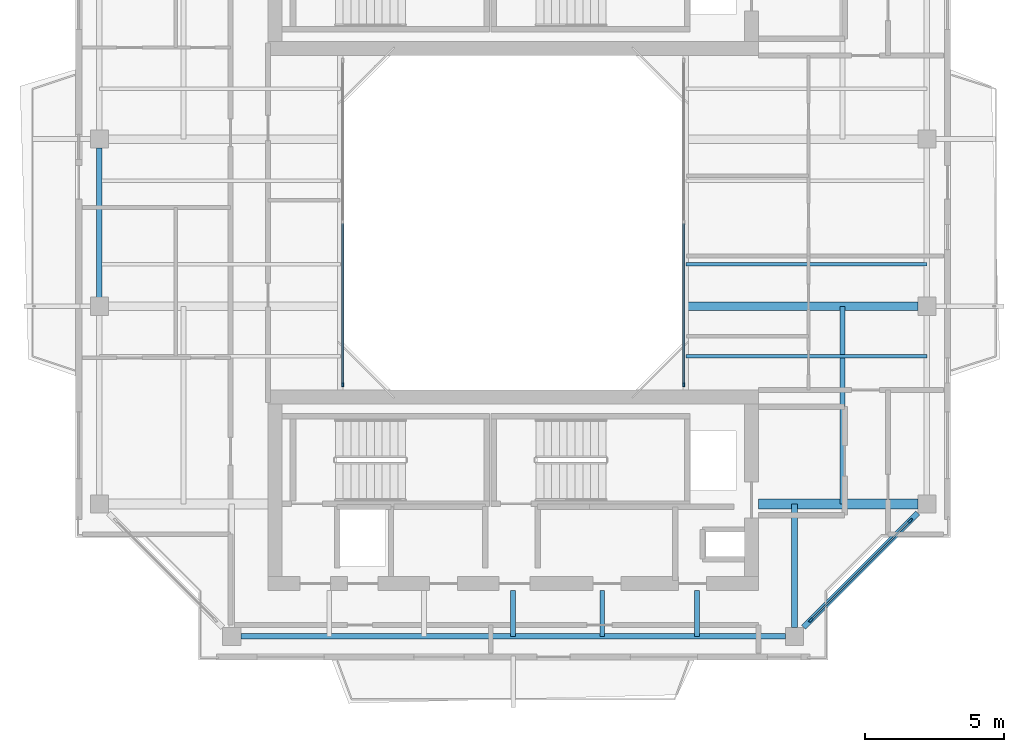
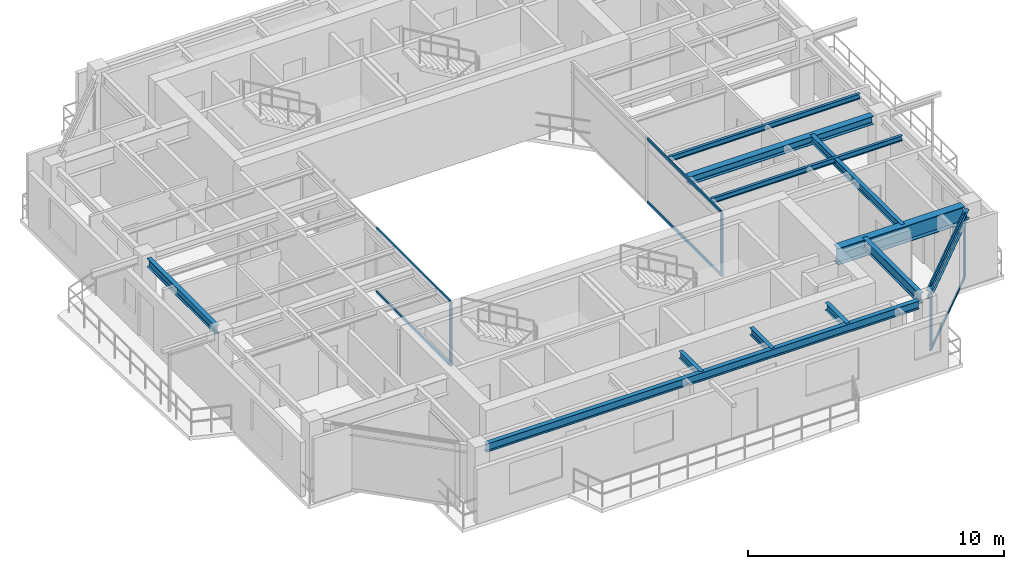
# One storey, part 4 of 14: 12 beams, 10 members, 3 elements without a shape of their own.
"""IFC4 building model written with IfcOpenShell, lengths in metres."""

import ifcopenshell
import ifcopenshell.guid

model = None  # the IFC model being written
_history = None  # IfcOwnerHistory: only IFC2X3 demands one
_inside = {}  # id of a spatial element -> (the spatial element, [elements in it])
_under = {}  # id of a project, library or spatial element -> (it, [spatial elements below it])
_declared = {}  # id of a project -> (the project, [libraries it declares])
_typed = {}  # id of a type object -> (the type object, [elements of that type])
_made_of = {}  # id of a material, layer set ... -> (it, [elements and type objects made of it])


def new_model(schema):
    """Start an empty IFC model of exactly this schema.

    Asked for "IFC4X3", IfcOpenShell would pick the latest addendum, in which some entities
    have other attributes; the version numbers below select the first issue.
    IFC2X3 requires an IfcOwnerHistory on every rooted entity: one is made here for all.
    """
    global model, _history
    if schema == "IFC4X3":
        model = ifcopenshell.file(schema_version=(4, 3, 0, 0))
    else:
        model = ifcopenshell.file(schema=schema)
    _inside.clear()
    _under.clear()
    _declared.clear()
    _typed.clear()
    _made_of.clear()
    _history = None
    if model.schema == "IFC2X3":
        org = make("IfcOrganization", Name="unknown")
        user = make(
            "IfcPersonAndOrganization",
            ThePerson=make("IfcPerson", FamilyName="unknown"),
            TheOrganization=org,
        )
        app = make(
            "IfcApplication",
            ApplicationDeveloper=org,
            Version="unknown",
            ApplicationFullName="unknown",
            ApplicationIdentifier="unknown",
        )
        _history = make(
            "IfcOwnerHistory",
            OwningUser=user,
            OwningApplication=app,
            ChangeAction="ADDED",
            CreationDate=0,
        )
    return model


def make(cls, **values):
    """One entity of the class cls with the attributes given. An attribute that is None is left unset."""
    return model.create_entity(
        cls, **{name: value for name, value in values.items() if value is not None}
    )


def rooted(cls, **values):
    """An entity with a GlobalId (a new one), such as an element, a storey or a relation."""
    return make(cls, GlobalId=ifcopenshell.guid.new(), OwnerHistory=_history, **values)


def si_unit(unit_type, name, prefix=None):
    """IfcSIUnit, for example si_unit("LENGTHUNIT", "METRE", prefix="MILLI")."""
    return make("IfcSIUnit", UnitType=unit_type, Prefix=prefix, Name=name)


def assignment(units):
    """IfcUnitAssignment: the units of a project."""
    return None if units is None else make("IfcUnitAssignment", Units=units)


def point(xyz):
    """IfcCartesianPoint."""
    return None if xyz is None else make("IfcCartesianPoint", Coordinates=xyz)


def direction(xyz):
    """IfcDirection."""
    return None if xyz is None else make("IfcDirection", DirectionRatios=xyz)


def frame(location, z_axis=None, x_axis=None):
    """IfcAxis2Placement3D, a coordinate frame: its origin and axes. An axis left out is left unset."""
    return make(
        "IfcAxis2Placement3D",
        Location=point(location),
        Axis=direction(z_axis),
        RefDirection=direction(x_axis),
    )


def frame_2d(location, x_axis=None):
    """IfcAxis2Placement2D, a coordinate frame in the plane: its origin and x axis."""
    return make(
        "IfcAxis2Placement2D", Location=point(location), RefDirection=direction(x_axis)
    )


def origin():
    """The frame at (0, 0, 0) with its axes left unset."""
    return frame((0.0, 0.0, 0.0))


def origin_2d():
    """The frame at (0, 0) in the plane with its x axis left unset."""
    return frame_2d((0.0, 0.0))


def place(relative_to, where):
    """IfcLocalPlacement: puts the frame where relative to a parent placement (None: the world)."""
    return make(
        "IfcLocalPlacement", PlacementRelTo=relative_to, RelativePlacement=where
    )


def context(
    kind, dimensions, precision=None, world=None, true_north=None, identifier=None
):
    """IfcGeometricRepresentationContext, for example the 3D "Model" context."""
    return make(
        "IfcGeometricRepresentationContext",
        ContextIdentifier=identifier,
        ContextType=kind,
        CoordinateSpaceDimension=dimensions,
        Precision=precision,
        WorldCoordinateSystem=world,
        TrueNorth=true_north,
    )


def subcontext(parent, identifier, kind, view, scale=None):
    """IfcGeometricRepresentationSubContext, for example "Body" below "Model"."""
    return make(
        "IfcGeometricRepresentationSubContext",
        ContextIdentifier=identifier,
        ContextType=kind,
        ParentContext=parent,
        TargetScale=scale,
        TargetView=view,
    )


def project(units=None, contexts=None):
    """IfcProject with its units and contexts."""
    return rooted(
        "IfcProject",
        Name="project",
        RepresentationContexts=contexts,
        UnitsInContext=assignment(units),
    )


def spatial(cls, under=None, at=None, **own):
    """A site, building, storey or space (cls), placed at a placement, below another one or the project."""
    s = rooted(cls, ObjectPlacement=at, **own)
    if under is not None:
        _under.setdefault(under.id(), (under, []))[1].append(s)
    return s


def profile(cls, at=None, kind="AREA", **sizes):
    """A parametric profile (cls). Its sizes go by their IFC names, for example OverallWidth=200.0."""
    return make(cls, ProfileType=kind, Position=at, **sizes)


def rectangle(**sizes):
    """IfcRectangleProfileDef."""
    return profile("IfcRectangleProfileDef", **sizes)


def i_section(**sizes):
    """IfcIShapeProfileDef."""
    return profile("IfcIShapeProfileDef", **sizes)


def extrude(swept, where, along, depth):
    """IfcExtrudedAreaSolid: the profile swept, set in the frame where, extruded along a direction by depth."""
    return make(
        "IfcExtrudedAreaSolid",
        SweptArea=swept,
        Position=where,
        ExtrudedDirection=direction(along),
        Depth=depth,
    )


def shape(context_of_items, identifier, shape_type, items):
    """IfcShapeRepresentation: the items that make up one representation, for example the "Body"."""
    return make(
        "IfcShapeRepresentation",
        ContextOfItems=context_of_items,
        RepresentationIdentifier=identifier,
        RepresentationType=shape_type,
        Items=items,
    )


def source(mapping_origin, context_of_items, identifier, shape_type, items):
    """IfcRepresentationMap: a shape defined once, which mapped items show again and again."""
    return make(
        "IfcRepresentationMap",
        MappingOrigin=mapping_origin,
        MappedRepresentation=shape(context_of_items, identifier, shape_type, items),
    )


def transform(
    local_origin,
    x_axis=None,
    y_axis=None,
    z_axis=None,
    scale=None,
    scale2=None,
    scale3=None,
    uniform=True,
):
    """IfcCartesianTransformationOperator3D, or its non-uniform kind. x_axis, y_axis, z_axis: its Axis1, 2, 3."""
    if uniform:
        return make(
            "IfcCartesianTransformationOperator3D",
            Axis1=direction(x_axis),
            Axis2=direction(y_axis),
            LocalOrigin=point(local_origin),
            Scale=scale,
            Axis3=direction(z_axis),
        )
    return make(
        "IfcCartesianTransformationOperator3DnonUniform",
        Axis1=direction(x_axis),
        Axis2=direction(y_axis),
        LocalOrigin=point(local_origin),
        Scale=scale,
        Axis3=direction(z_axis),
        Scale2=scale2,
        Scale3=scale3,
    )


def mapped(mapping_source, mapping_target):
    """IfcMappedItem: shows the shape of a source again, moved by a transform."""
    return make(
        "IfcMappedItem", MappingSource=mapping_source, MappingTarget=mapping_target
    )


def material(Name=None, Category=None):
    """IfcMaterial."""
    return make("IfcMaterial", Name=Name, Category=Category)


def layer(
    of_material, thickness, ventilated=None, Name=None, Category=None, Priority=None
):
    """IfcMaterialLayer: one layer of a wall or slab, of a material (None: an air gap)."""
    return make(
        "IfcMaterialLayer",
        Material=of_material,
        LayerThickness=thickness,
        IsVentilated=ventilated,
        Name=Name,
        Category=Category,
        Priority=Priority,
    )


def layer_set(layers, Name=None):
    """IfcMaterialLayerSet."""
    return make("IfcMaterialLayerSet", MaterialLayers=layers, LayerSetName=Name)


def material_profile(
    of_material, cross_section, Name=None, Category=None, Priority=None
):
    """IfcMaterialProfile: a cross section and its material."""
    return make(
        "IfcMaterialProfile",
        Name=Name,
        Material=of_material,
        Profile=cross_section,
        Priority=Priority,
        Category=Category,
    )


def profile_set(profiles, Name=None, composite=None):
    """IfcMaterialProfileSet."""
    return make(
        "IfcMaterialProfileSet",
        Name=Name,
        MaterialProfiles=profiles,
        CompositeProfile=composite,
    )


def made_of(thing, what):
    """Note that an element or type object is made of a material, layer set ...; save() writes the relation."""
    if what is not None:
        _made_of.setdefault(what.id(), (what, []))[1].append(thing)
    return thing


def type_object(cls, material=None, **own):
    """A type object (cls), such as IfcWallType, which elements share."""
    return made_of(rooted(cls, **own), material)


def element(
    cls,
    number,
    at=None,
    inside=None,
    cuts=None,
    type_object=None,
    material=None,
    context=None,
    identifier="Body",
    shape_type=None,
    held_by="IfcProductDefinitionShape",
    body=None,
    shapes=None,
    **own,
):
    """One element of the class cls, such as IfcWall. Its Tag is "e" and its number.

    at: its placement. inside: the storey or other place that contains it. cuts: it is an
    opening in that element (IfcRelVoidsElement). A single representation is given by context,
    identifier, shape_type and body (its items); several are given by shapes. held_by: the class
    of the entity that holds the representations. save() writes the other relations.
    """
    e = rooted(cls, Tag="e%d" % number, ObjectPlacement=at, **own)
    if body is not None:
        shapes = [shape(context, identifier, shape_type, body)]
    if shapes is not None:
        e.Representation = make(held_by, Representations=shapes)
    if inside is not None:
        _inside.setdefault(inside.id(), (inside, []))[1].append(e)
    if cuts is not None:
        rooted(
            "IfcRelVoidsElement", RelatingBuildingElement=cuts, RelatedOpeningElement=e
        )
    if type_object is not None:
        _typed.setdefault(type_object.id(), (type_object, []))[1].append(e)
    return made_of(e, material)


def aggregate(whole, parts):
    """IfcRelAggregates: a whole, such as a stair, and the parts it consists of."""
    return rooted("IfcRelAggregates", RelatingObject=whole, RelatedObjects=parts)


def save(model, path):
    """Write the relations noted so far, then the file.

    IfcRelAggregates (storeys below a building ...), IfcRelContainedInSpatialStructure (elements
    in a storey), IfcRelDefinesByType, IfcRelAssociatesMaterial and IfcRelDeclares: one each for
    every whole, place, type object, material and project.
    """
    for whole, parts in _under.values():
        aggregate(whole, parts)
    for where, things in _inside.values():
        rooted(
            "IfcRelContainedInSpatialStructure",
            RelatedElements=things,
            RelatingStructure=where,
        )
    for kind, things in _typed.values():
        rooted("IfcRelDefinesByType", RelatedObjects=things, RelatingType=kind)
    for what, things in _made_of.values():
        rooted("IfcRelAssociatesMaterial", RelatedObjects=things, RelatingMaterial=what)
    for by, libraries in _declared.values():
        rooted("IfcRelDeclares", RelatingContext=by, RelatedDefinitions=libraries)
    model.write(path)


model = new_model("IFC4")

# Units and contexts
model_context = context("Model", 3, precision=1e-05, world=origin(), true_north=direction((0.0, 1.0)))
body_context = subcontext(model_context, "Body", "Model", "MODEL_VIEW")
ifc_project = project(units=[si_unit("LENGTHUNIT", "METRE"), si_unit("AREAUNIT", "SQUARE_METRE"), si_unit("VOLUMEUNIT", "CUBIC_METRE"), si_unit("PLANEANGLEUNIT", "RADIAN"), si_unit("MASSUNIT", "GRAM", prefix="KILO"), si_unit("THERMODYNAMICTEMPERATUREUNIT", "KELVIN"), si_unit("POWERUNIT", "WATT")], contexts=[model_context])

# Site, building, storey
site_placement = place(None, origin())
site = spatial("IfcSite", under=ifc_project, at=site_placement, CompositionType="ELEMENT")
building_placement = place(site_placement, origin())
building = spatial("IfcBuilding", under=site, at=building_placement, Name="Qiaomeng Ring Towers", CompositionType="ELEMENT")
storey_placement = place(building_placement, frame((0.0, 0.0, 247.0)))
storey = spatial("IfcBuildingStorey", under=building, at=storey_placement, Name="L72", CompositionType="ELEMENT", Elevation=247.0)

# Beams
ifc_material_1 = material(Name="Steel Q355B", Category="steel")
ifc_material_profile_1 = material_profile(ifc_material_1, i_section(OverallWidth=0.198974609375, OverallDepth=0.39599609375, WebThickness=0.007080078125, FlangeThickness=0.010986328125, FilletRadius=0.01611328125, at=origin_2d()), Name="HN 396x199x7x11")
ifc_profile_set_1 = profile_set([ifc_material_profile_1], Name="Steel Q355B")
beam_type_1 = type_object("IfcBeamType", Name="STR-BM-HN396", PredefinedType="SPANDREL", material=ifc_profile_set_1)
shared_shape_1 = source(origin(), body_context, "Body", "SweptSolid", [
    extrude(i_section(OverallWidth=0.198974609375, OverallDepth=0.39599609375, WebThickness=0.007080078125, FlangeThickness=0.010986328125, FilletRadius=0.01611328125, at=origin_2d()), origin(), (0.0, 0.0, 1.0), 19.5517578125),
])
beam_1_placement = place(storey_placement, frame((9.22412109375, 8.14990234375, 2.8720703125), z_axis=(1.0, 0.0, 0.0), x_axis=(0.0, 1.0, 0.0)))
element("IfcBeam", 1, at=beam_1_placement, inside=storey, type_object=beam_type_1, Name="L72 beam STR-SP-L72-T1-S1-S2", PredefinedType="SPANDREL", context=body_context, shape_type="MappedRepresentation", body=[
    mapped(shared_shape_1, transform((0.0, 0.0, 0.0), x_axis=(1.0, 0.0, 0.0), y_axis=(0.0, 1.0, 0.0), z_axis=(0.0, 0.0, 1.0), scale=1.0)),
])
shared_shape_2 = source(origin(), body_context, "Body", "SweptSolid", [
    extrude(i_section(OverallWidth=0.198974609375, OverallDepth=0.39599609375, WebThickness=0.007080078125, FlangeThickness=0.010986328125, FilletRadius=0.01611328125, at=origin_2d()), origin(), (0.0, 0.0, 1.0), 5.800048828125),
])
beam_2_placement = place(storey_placement, frame((29.42431640625, 8.474365234375, 2.8720703125), z_axis=(0.707106781187, 0.707106781187, 0.0), x_axis=(-0.707106781187, 0.707106781187, 0.0)))
element("IfcBeam", 2, at=beam_2_placement, inside=storey, type_object=beam_type_1, Name="L72 beam STR-SP-L72-T1-S2-E1", PredefinedType="SPANDREL", context=body_context, shape_type="MappedRepresentation", body=[
    mapped(shared_shape_2, transform((0.0, 0.0, 0.0), x_axis=(1.0, 0.0, 0.0), y_axis=(0.0, 1.0, 0.0), z_axis=(0.0, 0.0, 1.0), scale=1.0)),
])
shared_shape_3 = source(origin(), body_context, "Body", "SweptSolid", [
    extrude(i_section(OverallWidth=0.198974609375, OverallDepth=0.39599609375, WebThickness=0.007080078125, FlangeThickness=0.010986328125, FilletRadius=0.01611328125, at=origin_2d()), origin(), (0.0, 0.0, 1.0), 5.35205078125),
])
beam_3_placement = place(storey_placement, frame((4.14990234375, 25.676025390625, 2.8720703125), z_axis=(0.0, -1.0, 0.0), x_axis=(1.0, 0.0, 0.0)))
element("IfcBeam", 3, at=beam_3_placement, inside=storey, type_object=beam_type_1, Name="L72 beam STR-SP-L72-T1-W3-W2", PredefinedType="SPANDREL", context=body_context, shape_type="MappedRepresentation", body=[
    mapped(shared_shape_3, transform((0.0, 0.0, 0.0), x_axis=(1.0, 0.0, 0.0), y_axis=(0.0, 1.0, 0.0), z_axis=(0.0, 0.0, 1.0), scale=1.0)),
])
ifc_material_2 = material(Name="Steel Q390GJC", Category="steel")
ifc_material_profile_2 = material_profile(ifc_material_2, i_section(OverallWidth=0.35009765625, OverallDepth=0.800048828125, WebThickness=0.01611328125, FlangeThickness=0.028076171875, at=origin_2d()), Name="WH 800x350x16x28")
ifc_profile_set_2 = profile_set([ifc_material_profile_2], Name="Steel Q390GJC")
beam_type_2 = type_object("IfcBeamType", Name="STR-BM-WH800", PredefinedType="BEAM", material=ifc_profile_set_2)
shared_shape_4 = source(origin(), body_context, "Body", "SweptSolid", [
    extrude(i_section(OverallWidth=0.35009765625, OverallDepth=0.800048828125, WebThickness=0.01611328125, FlangeThickness=0.028076171875, at=origin_2d()), origin(), (0.0, 0.0, 1.0), 5.725830078125),
])
beam_4_placement = place(storey_placement, frame((27.800048828125, 12.89990234375, 2.669921875), z_axis=(1.0, 0.0, 0.0), x_axis=(0.0, 1.0, 0.0)))
element("IfcBeam", 4, at=beam_4_placement, inside=storey, type_object=beam_type_2, Name="L72 beam STR-BM-L72-T1-RAD-E1", PredefinedType="BEAM", context=body_context, shape_type="MappedRepresentation", body=[
    mapped(shared_shape_4, transform((0.0, 0.0, 0.0), x_axis=(1.0, 0.0, 0.0), y_axis=(0.0, 1.0, 0.0), z_axis=(0.0, 0.0, 1.0), scale=1.0)),
])
ifc_material_profile_3 = material_profile(ifc_material_1, i_section(OverallWidth=0.198974609375, OverallDepth=0.49609375, WebThickness=0.009033203125, FlangeThickness=0.013916015625, FilletRadius=0.01806640625, at=origin_2d()), Name="HN 496x199x9x14")
ifc_profile_set_3 = profile_set([ifc_material_profile_3], Name="Steel Q355B")
beam_type_3 = type_object("IfcBeamType", Name="STR-BM-HN496", PredefinedType="BEAM", material=ifc_profile_set_3)
shared_shape_5 = source(origin(), body_context, "Body", "SweptSolid", [
    extrude(i_section(OverallWidth=0.198974609375, OverallDepth=0.49609375, WebThickness=0.009033203125, FlangeThickness=0.013916015625, FilletRadius=0.01806640625, at=origin_2d()), origin(), (0.0, 0.0, 1.0), 4.42578125),
])
beam_5_placement = place(storey_placement, frame((29.10009765625, 8.47412109375, 2.822021484375), z_axis=(0.0, 1.0, 0.0), x_axis=(-1.0, 0.0, 0.0)))
element("IfcBeam", 5, at=beam_5_placement, inside=storey, type_object=beam_type_3, Name="L72 beam STR-BM-L72-T1-RAD-S2", PredefinedType="BEAM", context=body_context, shape_type="MappedRepresentation", body=[
    mapped(shared_shape_5, transform((0.0, 0.0, 0.0), x_axis=(1.0, 0.0, 0.0), y_axis=(0.0, 1.0, 0.0), z_axis=(0.0, 0.0, 1.0), scale=1.0)),
])
ifc_material_profile_4 = material_profile(ifc_material_1, i_section(OverallWidth=0.300048828125, OverallDepth=0.389892578125, WebThickness=0.010009765625, FlangeThickness=0.01611328125, FilletRadius=0.02197265625, at=origin_2d()), Name="HM 390x300x10x16")
ifc_profile_set_4 = profile_set([ifc_material_profile_4], Name="Steel Q355B")
beam_type_4 = type_object("IfcBeamType", Name="STR-BM-HM390", PredefinedType="BEAM", material=ifc_profile_set_4)
shared_shape_6 = source(origin(), body_context, "Body", "SweptSolid", [
    extrude(i_section(OverallWidth=0.300048828125, OverallDepth=0.389892578125, WebThickness=0.010009765625, FlangeThickness=0.01611328125, FilletRadius=0.02197265625, at=origin_2d()), origin(), (0.0, 0.0, 1.0), 8.325927734375),
])
beam_6_placement = place(storey_placement, frame((25.199951171875, 20.0, 2.875), z_axis=(1.0, 0.0, 0.0), x_axis=(0.0, 1.0, 0.0)))
element("IfcBeam", 6, at=beam_6_placement, inside=storey, type_object=beam_type_4, Name="L72 beam STR-BM-L72-T1-RAD-E2", PredefinedType="BEAM", context=body_context, shape_type="MappedRepresentation", body=[
    mapped(shared_shape_6, transform((0.0, 0.0, 0.0), x_axis=(1.0, 0.0, 0.0), y_axis=(0.0, 1.0, 0.0), z_axis=(0.0, 0.0, 1.0), scale=1.0)),
])
ifc_material_profile_5 = material_profile(ifc_material_1, i_section(OverallWidth=0.175048828125, OverallDepth=0.35009765625, WebThickness=0.007080078125, FlangeThickness=0.010986328125, FilletRadius=0.013916015625, at=origin_2d()), Name="HN 350x175x7x11")
ifc_profile_set_5 = profile_set([ifc_material_profile_5], Name="Steel Q355B")
beam_type_5 = type_object("IfcBeamType", Name="STR-BM-HN350", PredefinedType="JOIST", material=ifc_profile_set_5)
shared_shape_7 = source(origin(), body_context, "Body", "SweptSolid", [
    extrude(i_section(OverallWidth=0.175048828125, OverallDepth=0.35009765625, WebThickness=0.007080078125, FlangeThickness=0.010986328125, FilletRadius=0.013916015625, at=origin_2d()), origin(), (0.0, 0.0, 1.0), 1.650146484375),
])
for number, where, z_axis, x_axis, name in (
    (7, (19.0, 8.14990234375, 2.89501953125), (0.0, 1.0, 0.0), (-1.0, 0.0, 0.0), "L72 beam STR-JST-L72-T1S-3"),
    (8, (22.199951171875, 8.14990234375, 2.89501953125), (0.0, 1.0, 0.0), (-1.0, 0.0, 0.0), "L72 beam STR-JST-L72-T1S-4"),
    (9, (25.60009765625, 8.14990234375, 2.89501953125), (0.0, 1.0, 0.0), (-1.0, 0.0, 0.0), "L72 beam STR-JST-L72-T1S-5"),
):
    element("IfcBeam", number, at=place(storey_placement, frame(where, z_axis=z_axis, x_axis=x_axis)), inside=storey, type_object=beam_type_5, Name=name, PredefinedType="JOIST", context=body_context, shape_type="MappedRepresentation", body=[
        mapped(shared_shape_7, transform((0.0, 0.0, 0.0), x_axis=(1.0, 0.0, 0.0), y_axis=(0.0, 1.0, 0.0), z_axis=(0.0, 0.0, 1.0), scale=1.0)),
    ])
ifc_material_profile_6 = material_profile(ifc_material_1, i_section(OverallWidth=0.125, OverallDepth=0.25, WebThickness=0.006103515625, FlangeThickness=0.009033203125, FilletRadius=0.011962890625, at=origin_2d()), Name="HN 250x125x6x9")
ifc_profile_set_6 = profile_set([ifc_material_profile_6], Name="Steel Q355B")
beam_type_6 = type_object("IfcBeamType", Name="STR-BM-HN250", PredefinedType="JOIST", material=ifc_profile_set_6)
shared_shape_8 = source(origin(), body_context, "Body", "SweptSolid", [
    extrude(i_section(OverallWidth=0.125, OverallDepth=0.25, WebThickness=0.006103515625, FlangeThickness=0.009033203125, FilletRadius=0.011962890625, at=origin_2d()), origin(), (0.0, 0.0, 1.0), 8.650146484375),
])
for number, where, z_axis, x_axis, name in (
    (10, (25.199951171875, 18.199951171875, 2.945068359375), (1.0, 0.0, 0.0), (0.0, 1.0, 0.0), "L72 beam STR-JST-L72-T1E-1"),
    (11, (25.199951171875, 21.5, 2.945068359375), (1.0, 0.0, 0.0), (0.0, 1.0, 0.0), "L72 beam STR-JST-L72-T1E-2"),
):
    element("IfcBeam", number, at=place(storey_placement, frame(where, z_axis=z_axis, x_axis=x_axis)), inside=storey, type_object=beam_type_6, Name=name, PredefinedType="JOIST", context=body_context, shape_type="MappedRepresentation", body=[
        mapped(shared_shape_8, transform((0.0, 0.0, 0.0), x_axis=(1.0, 0.0, 0.0), y_axis=(0.0, 1.0, 0.0), z_axis=(0.0, 0.0, 1.0), scale=1.0)),
    ])
shared_shape_9 = source(origin(), body_context, "Body", "SweptSolid", [
    extrude(i_section(OverallWidth=0.175048828125, OverallDepth=0.35009765625, WebThickness=0.007080078125, FlangeThickness=0.010986328125, FilletRadius=0.013916015625, at=origin_2d()), origin(), (0.0, 0.0, 1.0), 7.10009765625),
])
beam_7_placement = place(storey_placement, frame((30.824951171875, 12.89990234375, 2.89501953125), z_axis=(0.0, 1.0, 0.0), x_axis=(-1.0, 0.0, 0.0)))
element("IfcBeam", 12, at=beam_7_placement, inside=storey, type_object=beam_type_5, Name="L72 beam STR-JST-L72-T1C-ES", PredefinedType="JOIST", context=body_context, shape_type="MappedRepresentation", body=[
    mapped(shared_shape_9, transform((0.0, 0.0, 0.0), x_axis=(1.0, 0.0, 0.0), y_axis=(0.0, 1.0, 0.0), z_axis=(0.0, 0.0, 1.0), scale=1.0)),
])

# Curtain wall, member
ifc_material_3 = material(Name="Fluorocarbon dark-grey aluminium", Category="aluminium")
ifc_layer_1 = layer(ifc_material_3, 0.139892578125, Name="Fluorocarbon dark-grey aluminium")
ifc_layer_set_1 = layer_set([ifc_layer_1], Name="Fluorocarbon dark-grey aluminium")
curtain_wall_type_1 = type_object("IfcCurtainWallType", Name="ARC-CW-4", PredefinedType="NOTDEFINED", material=ifc_layer_set_1)
curtain_wall_1_placement = place(storey_placement, origin())
curtain_wall_1 = element("IfcCurtainWall", 13, at=curtain_wall_1_placement, inside=storey, type_object=curtain_wall_type_1, Name="L72 Curtain Wall CW4", PredefinedType="NOTDEFINED")
ifc_material_profile_7 = material_profile(ifc_material_3, rectangle(XDim=0.06494140625, YDim=0.159912109375, at=origin_2d()), Name="ALU MULL 65x160")
ifc_profile_set_7 = profile_set([ifc_material_profile_7], Name="Fluorocarbon dark-grey aluminium")
member_type_1 = type_object("IfcMemberType", Name="ARC-CWM-140", PredefinedType="MULLION", material=ifc_profile_set_7)
shared_shape_10 = source(origin(), body_context, "Body", "SweptSolid", [
    extrude(rectangle(XDim=0.06494140625, YDim=0.159912109375, at=origin_2d()), origin(), (0.0, 0.0, 1.0), 3.070068359375),
])
member_1_placement = place(storey_placement, frame((12.8798828125, 17.1826171875, 0.0), z_axis=(0.0, 0.0, 1.0), x_axis=(-1.0, 0.0, 0.0)))
member_1 = element("IfcMember", 14, at=member_1_placement, type_object=member_type_1, Name="CW4 mullion 1", PredefinedType="MULLION", context=body_context, shape_type="MappedRepresentation", body=[
    mapped(shared_shape_10, transform((0.0, 0.0, 0.0), x_axis=(1.0, 0.0, 0.0), y_axis=(0.0, 1.0, 0.0), z_axis=(0.0, 0.0, 1.0), scale=1.0)),
])

curtain_wall_2_placement = place(storey_placement, origin())
curtain_wall_2 = element("IfcCurtainWall", 15, at=curtain_wall_2_placement, inside=storey, type_object=curtain_wall_type_1, Name="L72 Curtain Wall CW4", PredefinedType="NOTDEFINED")
member_2_placement = place(storey_placement, frame((25.1201171875, 17.1826171875, 0.0), z_axis=(0.0, 0.0, 1.0), x_axis=(-1.0, 0.0, 0.0)))
member_2 = element("IfcMember", 16, at=member_2_placement, type_object=member_type_1, Name="CW4 mullion 1", PredefinedType="MULLION", context=body_context, shape_type="MappedRepresentation", body=[
    mapped(shared_shape_10, transform((0.0, 0.0, 0.0), x_axis=(1.0, 0.0, 0.0), y_axis=(0.0, 1.0, 0.0), z_axis=(0.0, 0.0, 1.0), scale=1.0)),
])

# Member
ifc_material_profile_8 = material_profile(ifc_material_3, rectangle(XDim=0.06494140625, YDim=0.1298828125, at=origin_2d()), Name="ALU TRAN 65x130")
ifc_profile_set_8 = profile_set([ifc_material_profile_8], Name="Fluorocarbon dark-grey aluminium")
member_type_2 = type_object("IfcMemberType", Name="ARC-CWT-120", PredefinedType="USERDEFINED", material=ifc_profile_set_8)
shared_shape_11 = source(origin(), body_context, "Body", "SweptSolid", [
    extrude(rectangle(XDim=0.06494140625, YDim=0.1298828125, at=origin_2d()), origin(), (0.0, 0.0, 1.0), 5.75244140625),
])
member_3_placement = place(storey_placement, frame((12.8798828125, 17.215087890625, 0.032470703125), z_axis=(0.0, 1.0, 0.0), x_axis=(-1.0, 0.0, 0.0)))
member_3 = element("IfcMember", 17, at=member_3_placement, type_object=member_type_2, Name="CW4 transom 1.1", ObjectType="TRANSOM", PredefinedType="USERDEFINED", context=body_context, shape_type="MappedRepresentation", body=[
    mapped(shared_shape_11, transform((0.0, 0.0, 0.0), x_axis=(1.0, 0.0, 0.0), y_axis=(0.0, 1.0, 0.0), z_axis=(0.0, 0.0, 1.0), scale=1.0)),
])

member_4_placement = place(storey_placement, frame((12.8798828125, 17.215087890625, 3.03759765625), z_axis=(0.0, 1.0, 0.0), x_axis=(-1.0, 0.0, 0.0)))
member_4 = element("IfcMember", 18, at=member_4_placement, type_object=member_type_2, Name="CW4 transom 1.2", ObjectType="TRANSOM", PredefinedType="USERDEFINED", context=body_context, shape_type="MappedRepresentation", body=[
    mapped(shared_shape_11, transform((0.0, 0.0, 0.0), x_axis=(1.0, 0.0, 0.0), y_axis=(0.0, 1.0, 0.0), z_axis=(0.0, 0.0, 1.0), scale=1.0)),
])

aggregate(curtain_wall_1, [member_1, member_3, member_4])

member_5_placement = place(storey_placement, frame((25.1201171875, 17.215087890625, 0.032470703125), z_axis=(0.0, 1.0, 0.0), x_axis=(-1.0, 0.0, 0.0)))
member_5 = element("IfcMember", 19, at=member_5_placement, type_object=member_type_2, Name="CW4 transom 1.1", ObjectType="TRANSOM", PredefinedType="USERDEFINED", context=body_context, shape_type="MappedRepresentation", body=[
    mapped(shared_shape_11, transform((0.0, 0.0, 0.0), x_axis=(1.0, 0.0, 0.0), y_axis=(0.0, 1.0, 0.0), z_axis=(0.0, 0.0, 1.0), scale=1.0)),
])

member_6_placement = place(storey_placement, frame((25.1201171875, 17.215087890625, 3.03759765625), z_axis=(0.0, 1.0, 0.0), x_axis=(-1.0, 0.0, 0.0)))
member_6 = element("IfcMember", 20, at=member_6_placement, type_object=member_type_2, Name="CW4 transom 1.2", ObjectType="TRANSOM", PredefinedType="USERDEFINED", context=body_context, shape_type="MappedRepresentation", body=[
    mapped(shared_shape_11, transform((0.0, 0.0, 0.0), x_axis=(1.0, 0.0, 0.0), y_axis=(0.0, 1.0, 0.0), z_axis=(0.0, 0.0, 1.0), scale=1.0)),
])

aggregate(curtain_wall_2, [member_2, member_5, member_6])

# Curtain wall, members
ifc_layer_2 = layer(ifc_material_3, 0.14990234375, Name="Fluorocarbon dark-grey aluminium")
ifc_layer_set_2 = layer_set([ifc_layer_2], Name="Fluorocarbon dark-grey aluminium")
curtain_wall_type_2 = type_object("IfcCurtainWallType", Name="ARC-CW-3", PredefinedType="NOTDEFINED", material=ifc_layer_set_2)
curtain_wall_3_placement = place(storey_placement, origin())
curtain_wall_3 = element("IfcCurtainWall", 21, at=curtain_wall_3_placement, inside=storey, type_object=curtain_wall_type_2, Name="L72 Curtain Wall CW3", PredefinedType="NOTDEFINED")
ifc_material_profile_9 = material_profile(ifc_material_3, rectangle(XDim=0.070068359375, YDim=0.179931640625, at=origin_2d()), Name="ALU MULL 70x180")
ifc_profile_set_9 = profile_set([ifc_material_profile_9], Name="Fluorocarbon dark-grey aluminium")
member_type_3 = type_object("IfcMemberType", Name="ARC-CWM-160", PredefinedType="MULLION", material=ifc_profile_set_9)
shared_shape_12 = source(origin(), body_context, "Body", "SweptSolid", [
    extrude(rectangle(XDim=0.070068359375, YDim=0.179931640625, at=origin_2d()), origin(), (0.0, 0.0, 1.0), 3.070068359375),
])
member_7_placement = place(storey_placement, frame((29.689697265625, 8.73974609375, 0.0), z_axis=(0.0, 0.0, 1.0), x_axis=(-0.707106781187, 0.707106781187, 0.0)))
member_7 = element("IfcMember", 22, at=member_7_placement, type_object=member_type_3, Name="CW3 mullion 1", PredefinedType="MULLION", context=body_context, shape_type="MappedRepresentation", body=[
    mapped(shared_shape_12, transform((0.0, 0.0, 0.0), x_axis=(1.0, 0.0, 0.0), y_axis=(0.0, 1.0, 0.0), z_axis=(0.0, 0.0, 1.0), scale=1.0)),
])
member_8_placement = place(storey_placement, frame((33.26025390625, 12.310302734375, 0.0), z_axis=(0.0, 0.0, 1.0), x_axis=(-0.707106781187, 0.707106781187, 0.0)))
member_8 = element("IfcMember", 23, at=member_8_placement, type_object=member_type_3, Name="CW3 mullion 2", PredefinedType="MULLION", context=body_context, shape_type="MappedRepresentation", body=[
    mapped(shared_shape_12, transform((0.0, 0.0, 0.0), x_axis=(1.0, 0.0, 0.0), y_axis=(0.0, 1.0, 0.0), z_axis=(0.0, 0.0, 1.0), scale=1.0)),
])
shared_shape_13 = source(origin(), body_context, "Body", "SweptSolid", [
    extrude(rectangle(XDim=0.06494140625, YDim=0.1298828125, at=origin_2d()), origin(), (0.0, 0.0, 1.0), 4.9794921875),
])
member_9_placement = place(storey_placement, frame((29.714599609375, 8.764404296875, 0.032470703125), z_axis=(0.707106781187, 0.707106781187, 0.0), x_axis=(-0.707106781187, 0.707106781187, 0.0)))
member_9 = element("IfcMember", 24, at=member_9_placement, type_object=member_type_2, Name="CW3 transom 1.1", ObjectType="TRANSOM", PredefinedType="USERDEFINED", context=body_context, shape_type="MappedRepresentation", body=[
    mapped(shared_shape_13, transform((0.0, 0.0, 0.0), x_axis=(1.0, 0.0, 0.0), y_axis=(0.0, 1.0, 0.0), z_axis=(0.0, 0.0, 1.0), scale=1.0)),
])
member_10_placement = place(storey_placement, frame((29.714599609375, 8.764404296875, 3.03759765625), z_axis=(0.707106781187, 0.707106781187, 0.0), x_axis=(-0.707106781187, 0.707106781187, 0.0)))
member_10 = element("IfcMember", 25, at=member_10_placement, type_object=member_type_2, Name="CW3 transom 1.2", ObjectType="TRANSOM", PredefinedType="USERDEFINED", context=body_context, shape_type="MappedRepresentation", body=[
    mapped(shared_shape_13, transform((0.0, 0.0, 0.0), x_axis=(1.0, 0.0, 0.0), y_axis=(0.0, 1.0, 0.0), z_axis=(0.0, 0.0, 1.0), scale=1.0)),
])
aggregate(curtain_wall_3, [member_7, member_8, member_9, member_10])

save(model, "model.ifc")
